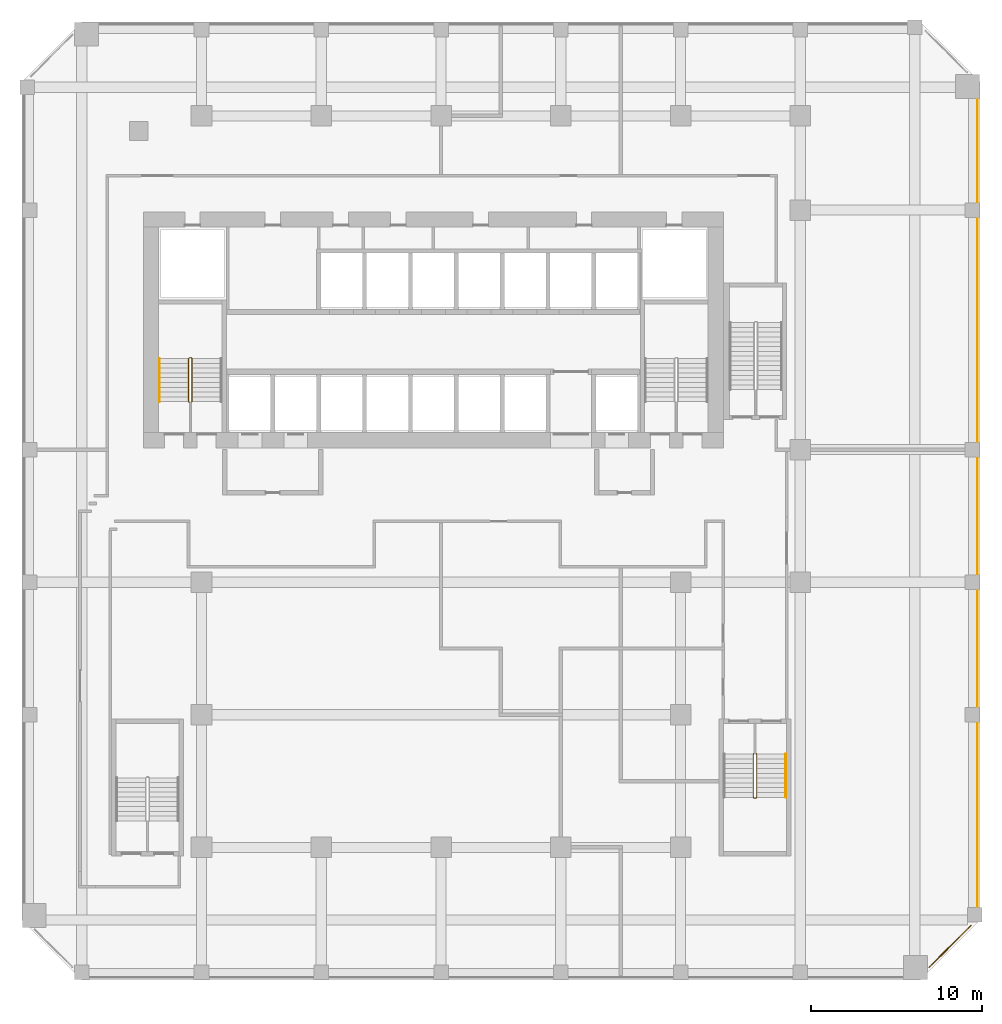
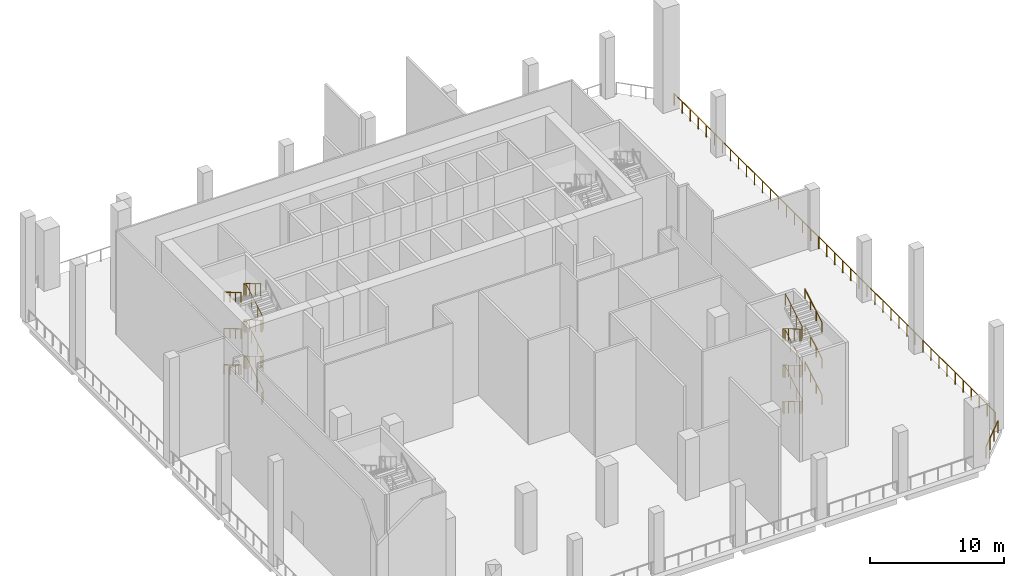
# One storey, part 10 of 12: 10 railings.
"""IFC4 building model written with IfcOpenShell, lengths in metres."""

from ifc_helpers import new_model, si_unit, direction, frame, origin, origin_2d, place, context, subcontext, project, spatial, circle, extrude, material, type_object, element, save


model = new_model("IFC4")

# Units and contexts
model_context = context("Model", 3, precision=1e-05, world=origin(), true_north=direction((0.0, 1.0)))
body_context = subcontext(model_context, "Body", "Model", "MODEL_VIEW")
ifc_project = project(units=[si_unit("LENGTHUNIT", "METRE"), si_unit("AREAUNIT", "SQUARE_METRE"), si_unit("VOLUMEUNIT", "CUBIC_METRE"), si_unit("PLANEANGLEUNIT", "RADIAN"), si_unit("MASSUNIT", "GRAM", prefix="KILO")], contexts=[model_context])

# Site, building, storey
site_placement = place(None, origin())
site = spatial("IfcSite", under=ifc_project, at=site_placement, CompositionType="ELEMENT")
building_placement = place(site_placement, origin())
building = spatial("IfcBuilding", under=site, at=building_placement, Name="Kilnfold Tower and Market Hall", CompositionType="ELEMENT")
storey_placement = place(building_placement, frame((0.0, 0.0, 128.60009765625)))
storey = spatial("IfcBuildingStorey", under=building, at=storey_placement, Name="L30 Refuge Wind Floor", CompositionType="ELEMENT", Elevation=128.60009765625)

# Railings
ifc_material_1 = material(Name="Stainless steel 316", Category="steel")
railing_type_1 = type_object("IfcRailingType", Name="CORE STAIR GUARD 1100", PredefinedType="GUARDRAIL", material=ifc_material_1)
railing_1_placement = place(storey_placement, frame((-13.199951171875, 10.75, 0.0)))
element("IfcRailing", 1, at=railing_1_placement, inside=storey, type_object=railing_type_1, Name="L30 Refuge Wind Floor ST1 stair guard 1", PredefinedType="GUARDRAIL", context=body_context, shape_type="SweptSolid", body=[
    extrude(circle(Radius=0.02392578125, at=origin_2d()), frame((0.0, 0.0, 1.076171875), z_axis=(1.0, 0.0, 0.0), x_axis=(0.0, 1.0, 0.0)), (0.0, 0.0, 1.0), 0.099853515625),
    extrude(circle(Radius=0.02392578125, at=origin_2d()), frame((0.099853515625, 0.0, 1.076171875), z_axis=(0.279053652268, 0.279053652268, 0.918835196492), x_axis=(-0.707106781187, 0.707106781187, 0.0)), (0.0, 0.0, 1.0), 0.179443359375),
    extrude(circle(Radius=0.02392578125, at=origin_2d()), frame((0.14990234375, 0.050048828125, 1.24072265625), z_axis=(0.0, 0.86152411907, 0.507716645641), x_axis=(-1.0, 0.0, 0.0)), (0.0, 0.0, 1.0), 2.925048828125),
    extrude(circle(Radius=0.02392578125, at=origin_2d()), frame((0.14990234375, 2.570068359375, 2.72607421875), z_axis=(-0.707106781187, 0.707106781187, 0.0), x_axis=(-0.707106781187, -0.707106781187, 0.0)), (0.0, 0.0, 1.0), 0.07080078125),
    extrude(circle(Radius=0.02392578125, at=origin_2d()), frame((0.099853515625, 2.6201171875, 2.72607421875), z_axis=(-1.0, 0.0, 0.0), x_axis=(0.0, -1.0, 0.0)), (0.0, 0.0, 1.0), 0.099853515625),
    extrude(circle(Radius=0.02392578125, at=origin_2d()), frame((0.0, 2.6201171875, 2.72607421875), z_axis=(-0.278705021027, -0.278705021027, 0.919046801044), x_axis=(0.707106781187, -0.707106781187, 0.0)), (0.0, 0.0, 1.0), 0.1796875),
    extrude(circle(Radius=0.02392578125, at=origin_2d()), frame((-0.050048828125, 2.570068359375, 2.89111328125), z_axis=(0.0, -0.861560626758, 0.507654692109), x_axis=(1.0, 0.0, 0.0)), (0.0, 0.0, 1.0), 2.925048828125),
    extrude(circle(Radius=0.02392578125, at=origin_2d()), frame((-0.050048828125, 0.050048828125, 4.3759765625), z_axis=(0.707106781187, -0.707106781187, 0.0), x_axis=(0.707106781187, 0.707106781187, 0.0)), (0.0, 0.0, 1.0), 0.07080078125),
    extrude(circle(Radius=0.02392578125, at=origin_2d()), frame((0.0, 0.0, 4.3759765625), z_axis=(1.0, 0.0, 0.0), x_axis=(0.0, 1.0, 0.0)), (0.0, 0.0, 1.0), 0.099853515625),
    extrude(circle(Radius=0.02392578125, at=origin_2d()), frame((0.099853515625, 0.0, 4.3759765625), z_axis=(0.278705021027, 0.278705021027, 0.919046801044), x_axis=(-0.707106781187, 0.707106781187, 0.0)), (0.0, 0.0, 1.0), 0.1796875),
    extrude(circle(Radius=0.02392578125, at=origin_2d()), frame((0.14990234375, 0.050048828125, 4.541015625), z_axis=(0.0, 0.86152411907, 0.507716645641), x_axis=(-1.0, 0.0, 0.0)), (0.0, 0.0, 1.0), 2.925048828125),
    extrude(circle(Radius=0.02392578125, at=origin_2d()), frame((0.14990234375, 2.570068359375, 6.02587890625), z_axis=(-0.707106781187, 0.707106781187, 0.0), x_axis=(-0.707106781187, -0.707106781187, 0.0)), (0.0, 0.0, 1.0), 0.07080078125),
    extrude(circle(Radius=0.02392578125, at=origin_2d()), frame((0.099853515625, 2.6201171875, 6.02587890625), z_axis=(-1.0, 0.0, 0.0), x_axis=(0.0, -1.0, 0.0)), (0.0, 0.0, 1.0), 0.099853515625),
    extrude(circle(Radius=0.02392578125, at=origin_2d()), frame((0.0, 2.6201171875, 6.02587890625), z_axis=(-0.278705021027, -0.278705021027, 0.919046801044), x_axis=(0.707106781187, -0.707106781187, 0.0)), (0.0, 0.0, 1.0), 0.1796875),
    extrude(circle(Radius=0.02392578125, at=origin_2d()), frame((-0.050048828125, 2.570068359375, 6.19091796875), z_axis=(0.0, -0.861560626758, 0.507654692109), x_axis=(1.0, 0.0, 0.0)), (0.0, 0.0, 1.0), 2.925048828125),
    extrude(circle(Radius=0.02392578125, at=origin_2d()), frame((-0.050048828125, 0.050048828125, 7.67578125), z_axis=(0.707106781187, -0.707106781187, 0.0), x_axis=(0.707106781187, 0.707106781187, 0.0)), (0.0, 0.0, 1.0), 0.07080078125),
    extrude(circle(Radius=0.02392578125, at=origin_2d()), frame((0.0, 0.0, 7.67578125), z_axis=(1.0, 0.0, 0.0), x_axis=(0.0, 1.0, 0.0)), (0.0, 0.0, 1.0), 0.099853515625),
    extrude(circle(Radius=0.02392578125, at=origin_2d()), frame((0.099853515625, 0.0, 7.67578125), z_axis=(0.278705021027, 0.278705021027, 0.919046801044), x_axis=(-0.707106781187, 0.707106781187, 0.0)), (0.0, 0.0, 1.0), 0.1796875),
    extrude(circle(Radius=0.02392578125, at=origin_2d()), frame((0.14990234375, 0.050048828125, 7.8408203125), z_axis=(0.0, 0.86152411907, 0.507716645641), x_axis=(-1.0, 0.0, 0.0)), (0.0, 0.0, 1.0), 2.925048828125),
    extrude(circle(Radius=0.02392578125, at=origin_2d()), frame((0.14990234375, 2.570068359375, 9.326171875), z_axis=(-0.707106781187, 0.707106781187, 0.0), x_axis=(-0.707106781187, -0.707106781187, 0.0)), (0.0, 0.0, 1.0), 0.07080078125),
    extrude(circle(Radius=0.02392578125, at=origin_2d()), frame((0.099853515625, 2.6201171875, 9.326171875), z_axis=(-1.0, 0.0, 0.0), x_axis=(0.0, -1.0, 0.0)), (0.0, 0.0, 1.0), 0.099853515625),
    extrude(circle(Radius=0.02392578125, at=origin_2d()), frame((0.0, 2.6201171875, 9.326171875), z_axis=(-0.279053652268, -0.279053652268, 0.918835196492), x_axis=(0.707106781187, -0.707106781187, 0.0)), (0.0, 0.0, 1.0), 0.179443359375),
    extrude(circle(Radius=0.02392578125, at=origin_2d()), frame((-0.050048828125, 2.570068359375, 9.49072265625), z_axis=(0.0, -0.86152411907, 0.507716645641), x_axis=(1.0, 0.0, 0.0)), (0.0, 0.0, 1.0), 2.925048828125),
    extrude(circle(Radius=0.02099609375, at=origin_2d()), origin(), (0.0, 0.0, 1.0), 1.052001953125),
    extrude(circle(Radius=0.02099609375, at=origin_2d()), frame((0.099853515625, 0.0, 0.0)), (0.0, 0.0, 1.0), 1.052001953125),
    extrude(circle(Radius=0.02099609375, at=origin_2d()), frame((0.14990234375, 0.050048828125, 0.164794921875)), (0.0, 0.0, 1.0), 1.052001953125),
    extrude(circle(Radius=0.02099609375, at=origin_2d()), frame((0.14990234375, 0.89013671875, 0.659912109375)), (0.0, 0.0, 1.0), 1.052001953125),
    extrude(circle(Radius=0.02099609375, at=origin_2d()), frame((0.14990234375, 1.72998046875, 1.15478515625)), (0.0, 0.0, 1.0), 1.052001953125),
    extrude(circle(Radius=0.02099609375, at=origin_2d()), frame((0.14990234375, 2.570068359375, 1.64990234375)), (0.0, 0.0, 1.0), 1.052001953125),
    extrude(circle(Radius=0.02099609375, at=origin_2d()), frame((0.099853515625, 2.6201171875, 1.64990234375)), (0.0, 0.0, 1.0), 1.052001953125),
    extrude(circle(Radius=0.02099609375, at=origin_2d()), frame((0.0, 2.6201171875, 1.64990234375)), (0.0, 0.0, 1.0), 1.052001953125),
    extrude(circle(Radius=0.02099609375, at=origin_2d()), frame((-0.050048828125, 2.570068359375, 1.81494140625)), (0.0, 0.0, 1.0), 1.052001953125),
    extrude(circle(Radius=0.02099609375, at=origin_2d()), frame((-0.050048828125, 1.72998046875, 2.309814453125)), (0.0, 0.0, 1.0), 1.052001953125),
    extrude(circle(Radius=0.02099609375, at=origin_2d()), frame((-0.050048828125, 0.89013671875, 2.804931640625)), (0.0, 0.0, 1.0), 1.052001953125),
    extrude(circle(Radius=0.02099609375, at=origin_2d()), frame((-0.050048828125, 0.050048828125, 3.2998046875)), (0.0, 0.0, 1.0), 1.052001953125),
    extrude(circle(Radius=0.02099609375, at=origin_2d()), frame((0.0, 0.0, 3.2998046875)), (0.0, 0.0, 1.0), 1.052001953125),
    extrude(circle(Radius=0.02099609375, at=origin_2d()), frame((0.099853515625, 0.0, 3.2998046875)), (0.0, 0.0, 1.0), 1.052001953125),
    extrude(circle(Radius=0.02099609375, at=origin_2d()), frame((0.14990234375, 0.050048828125, 3.46484375)), (0.0, 0.0, 1.0), 1.052001953125),
    extrude(circle(Radius=0.02099609375, at=origin_2d()), frame((0.14990234375, 0.89013671875, 3.9599609375)), (0.0, 0.0, 1.0), 1.052001953125),
    extrude(circle(Radius=0.02099609375, at=origin_2d()), frame((0.14990234375, 1.72998046875, 4.454833984375)), (0.0, 0.0, 1.0), 1.052001953125),
    extrude(circle(Radius=0.02099609375, at=origin_2d()), frame((0.14990234375, 2.570068359375, 4.949951171875)), (0.0, 0.0, 1.0), 1.052001953125),
    extrude(circle(Radius=0.02099609375, at=origin_2d()), frame((0.099853515625, 2.6201171875, 4.949951171875)), (0.0, 0.0, 1.0), 1.052001953125),
    extrude(circle(Radius=0.02099609375, at=origin_2d()), frame((0.0, 2.6201171875, 4.949951171875)), (0.0, 0.0, 1.0), 1.052001953125),
    extrude(circle(Radius=0.02099609375, at=origin_2d()), frame((-0.050048828125, 2.570068359375, 5.114990234375)), (0.0, 0.0, 1.0), 1.052001953125),
    extrude(circle(Radius=0.02099609375, at=origin_2d()), frame((-0.050048828125, 1.72998046875, 5.60986328125)), (0.0, 0.0, 1.0), 1.052001953125),
    extrude(circle(Radius=0.02099609375, at=origin_2d()), frame((-0.050048828125, 0.89013671875, 6.10498046875)), (0.0, 0.0, 1.0), 1.052001953125),
    extrude(circle(Radius=0.02099609375, at=origin_2d()), frame((-0.050048828125, 0.050048828125, 6.599853515625)), (0.0, 0.0, 1.0), 1.052001953125),
    extrude(circle(Radius=0.02099609375, at=origin_2d()), frame((0.0, 0.0, 6.599853515625)), (0.0, 0.0, 1.0), 1.052001953125),
    extrude(circle(Radius=0.02099609375, at=origin_2d()), frame((0.099853515625, 0.0, 6.599853515625)), (0.0, 0.0, 1.0), 1.052001953125),
    extrude(circle(Radius=0.02099609375, at=origin_2d()), frame((0.14990234375, 0.050048828125, 6.764892578125)), (0.0, 0.0, 1.0), 1.052001953125),
    extrude(circle(Radius=0.02099609375, at=origin_2d()), frame((0.14990234375, 0.89013671875, 7.260009765625)), (0.0, 0.0, 1.0), 1.052001953125),
    extrude(circle(Radius=0.02099609375, at=origin_2d()), frame((0.14990234375, 1.72998046875, 7.7548828125)), (0.0, 0.0, 1.0), 1.052001953125),
    extrude(circle(Radius=0.02099609375, at=origin_2d()), frame((0.14990234375, 2.570068359375, 8.25)), (0.0, 0.0, 1.0), 1.052001953125),
    extrude(circle(Radius=0.02099609375, at=origin_2d()), frame((0.099853515625, 2.6201171875, 8.25)), (0.0, 0.0, 1.0), 1.052001953125),
    extrude(circle(Radius=0.02099609375, at=origin_2d()), frame((0.0, 2.6201171875, 8.25)), (0.0, 0.0, 1.0), 1.052001953125),
    extrude(circle(Radius=0.02099609375, at=origin_2d()), frame((-0.050048828125, 2.570068359375, 8.414794921875)), (0.0, 0.0, 1.0), 1.052001953125),
    extrude(circle(Radius=0.02099609375, at=origin_2d()), frame((-0.050048828125, 1.72998046875, 8.909912109375)), (0.0, 0.0, 1.0), 1.052001953125),
    extrude(circle(Radius=0.02099609375, at=origin_2d()), frame((-0.050048828125, 0.89013671875, 9.40478515625)), (0.0, 0.0, 1.0), 1.052001953125),
    extrude(circle(Radius=0.02099609375, at=origin_2d()), frame((-0.050048828125, 0.050048828125, 9.89990234375)), (0.0, 0.0, 1.0), 1.052001953125),
])
railing_2_placement = place(storey_placement, frame((19.89990234375, -9.75, 0.0)))
element("IfcRailing", 2, at=railing_2_placement, inside=storey, type_object=railing_type_1, Name="L30 Refuge Wind Floor ST4 stair guard 1", PredefinedType="GUARDRAIL", context=body_context, shape_type="SweptSolid", body=[
    extrude(circle(Radius=0.02392578125, at=origin_2d()), frame((0.0, 0.0, 1.076171875), z_axis=(-1.0, 0.0, 0.0), x_axis=(0.0, -1.0, 0.0)), (0.0, 0.0, 1.0), 0.099853515625),
    extrude(circle(Radius=0.02392578125, at=origin_2d()), frame((-0.099853515625, 0.0, 1.076171875), z_axis=(-0.279053652268, -0.279053652268, 0.918835196492), x_axis=(0.707106781187, -0.707106781187, 0.0)), (0.0, 0.0, 1.0), 0.179443359375),
    extrude(circle(Radius=0.02392578125, at=origin_2d()), frame((-0.14990234375, -0.050048828125, 1.24072265625), z_axis=(0.0, -0.86152411907, 0.507716645641), x_axis=(1.0, 0.0, 0.0)), (0.0, 0.0, 1.0), 2.925048828125),
    extrude(circle(Radius=0.02392578125, at=origin_2d()), frame((-0.14990234375, -2.570068359375, 2.72607421875), z_axis=(0.707106781187, -0.707106781187, 0.0), x_axis=(0.707106781187, 0.707106781187, 0.0)), (0.0, 0.0, 1.0), 0.07080078125),
    extrude(circle(Radius=0.02392578125, at=origin_2d()), frame((-0.099853515625, -2.6201171875, 2.72607421875), z_axis=(1.0, 0.0, 0.0), x_axis=(0.0, 1.0, 0.0)), (0.0, 0.0, 1.0), 0.099853515625),
    extrude(circle(Radius=0.02392578125, at=origin_2d()), frame((0.0, -2.6201171875, 2.72607421875), z_axis=(0.278705021027, 0.278705021027, 0.919046801044), x_axis=(-0.707106781187, 0.707106781187, 0.0)), (0.0, 0.0, 1.0), 0.1796875),
    extrude(circle(Radius=0.02392578125, at=origin_2d()), frame((0.050048828125, -2.570068359375, 2.89111328125), z_axis=(0.0, 0.861560626758, 0.507654692109), x_axis=(-1.0, 0.0, 0.0)), (0.0, 0.0, 1.0), 2.925048828125),
    extrude(circle(Radius=0.02392578125, at=origin_2d()), frame((0.050048828125, -0.050048828125, 4.3759765625), z_axis=(-0.707106781187, 0.707106781187, 0.0), x_axis=(-0.707106781187, -0.707106781187, 0.0)), (0.0, 0.0, 1.0), 0.07080078125),
    extrude(circle(Radius=0.02392578125, at=origin_2d()), frame((0.0, 0.0, 4.3759765625), z_axis=(-1.0, 0.0, 0.0), x_axis=(0.0, -1.0, 0.0)), (0.0, 0.0, 1.0), 0.099853515625),
    extrude(circle(Radius=0.02392578125, at=origin_2d()), frame((-0.099853515625, 0.0, 4.3759765625), z_axis=(-0.278705021027, -0.278705021027, 0.919046801044), x_axis=(0.707106781187, -0.707106781187, 0.0)), (0.0, 0.0, 1.0), 0.1796875),
    extrude(circle(Radius=0.02392578125, at=origin_2d()), frame((-0.14990234375, -0.050048828125, 4.541015625), z_axis=(0.0, -0.86152411907, 0.507716645641), x_axis=(1.0, 0.0, 0.0)), (0.0, 0.0, 1.0), 2.925048828125),
    extrude(circle(Radius=0.02392578125, at=origin_2d()), frame((-0.14990234375, -2.570068359375, 6.02587890625), z_axis=(0.707106781187, -0.707106781187, 0.0), x_axis=(0.707106781187, 0.707106781187, 0.0)), (0.0, 0.0, 1.0), 0.07080078125),
    extrude(circle(Radius=0.02392578125, at=origin_2d()), frame((-0.099853515625, -2.6201171875, 6.02587890625), z_axis=(1.0, 0.0, 0.0), x_axis=(0.0, 1.0, 0.0)), (0.0, 0.0, 1.0), 0.099853515625),
    extrude(circle(Radius=0.02392578125, at=origin_2d()), frame((0.0, -2.6201171875, 6.02587890625), z_axis=(0.278705021027, 0.278705021027, 0.919046801044), x_axis=(-0.707106781187, 0.707106781187, 0.0)), (0.0, 0.0, 1.0), 0.1796875),
    extrude(circle(Radius=0.02392578125, at=origin_2d()), frame((0.050048828125, -2.570068359375, 6.19091796875), z_axis=(0.0, 0.861560626758, 0.507654692109), x_axis=(-1.0, 0.0, 0.0)), (0.0, 0.0, 1.0), 2.925048828125),
    extrude(circle(Radius=0.02392578125, at=origin_2d()), frame((0.050048828125, -0.050048828125, 7.67578125), z_axis=(-0.707106781187, 0.707106781187, 0.0), x_axis=(-0.707106781187, -0.707106781187, 0.0)), (0.0, 0.0, 1.0), 0.07080078125),
    extrude(circle(Radius=0.02392578125, at=origin_2d()), frame((0.0, 0.0, 7.67578125), z_axis=(-1.0, 0.0, 0.0), x_axis=(0.0, -1.0, 0.0)), (0.0, 0.0, 1.0), 0.099853515625),
    extrude(circle(Radius=0.02392578125, at=origin_2d()), frame((-0.099853515625, 0.0, 7.67578125), z_axis=(-0.278705021027, -0.278705021027, 0.919046801044), x_axis=(0.707106781187, -0.707106781187, 0.0)), (0.0, 0.0, 1.0), 0.1796875),
    extrude(circle(Radius=0.02392578125, at=origin_2d()), frame((-0.14990234375, -0.050048828125, 7.8408203125), z_axis=(0.0, -0.86152411907, 0.507716645641), x_axis=(1.0, 0.0, 0.0)), (0.0, 0.0, 1.0), 2.925048828125),
    extrude(circle(Radius=0.02392578125, at=origin_2d()), frame((-0.14990234375, -2.570068359375, 9.326171875), z_axis=(0.707106781187, -0.707106781187, 0.0), x_axis=(0.707106781187, 0.707106781187, 0.0)), (0.0, 0.0, 1.0), 0.07080078125),
    extrude(circle(Radius=0.02392578125, at=origin_2d()), frame((-0.099853515625, -2.6201171875, 9.326171875), z_axis=(1.0, 0.0, 0.0), x_axis=(0.0, 1.0, 0.0)), (0.0, 0.0, 1.0), 0.099853515625),
    extrude(circle(Radius=0.02392578125, at=origin_2d()), frame((0.0, -2.6201171875, 9.326171875), z_axis=(0.279053652268, 0.279053652268, 0.918835196492), x_axis=(-0.707106781187, 0.707106781187, 0.0)), (0.0, 0.0, 1.0), 0.179443359375),
    extrude(circle(Radius=0.02392578125, at=origin_2d()), frame((0.050048828125, -2.570068359375, 9.49072265625), z_axis=(0.0, 0.86152411907, 0.507716645641), x_axis=(-1.0, 0.0, 0.0)), (0.0, 0.0, 1.0), 2.925048828125),
    extrude(circle(Radius=0.02099609375, at=origin_2d()), origin(), (0.0, 0.0, 1.0), 1.052001953125),
    extrude(circle(Radius=0.02099609375, at=origin_2d()), frame((-0.099853515625, 0.0, 0.0)), (0.0, 0.0, 1.0), 1.052001953125),
    extrude(circle(Radius=0.02099609375, at=origin_2d()), frame((-0.14990234375, -0.050048828125, 0.164794921875)), (0.0, 0.0, 1.0), 1.052001953125),
    extrude(circle(Radius=0.02099609375, at=origin_2d()), frame((-0.14990234375, -0.89013671875, 0.659912109375)), (0.0, 0.0, 1.0), 1.052001953125),
    extrude(circle(Radius=0.02099609375, at=origin_2d()), frame((-0.14990234375, -1.72998046875, 1.15478515625)), (0.0, 0.0, 1.0), 1.052001953125),
    extrude(circle(Radius=0.02099609375, at=origin_2d()), frame((-0.14990234375, -2.570068359375, 1.64990234375)), (0.0, 0.0, 1.0), 1.052001953125),
    extrude(circle(Radius=0.02099609375, at=origin_2d()), frame((-0.099853515625, -2.6201171875, 1.64990234375)), (0.0, 0.0, 1.0), 1.052001953125),
    extrude(circle(Radius=0.02099609375, at=origin_2d()), frame((0.0, -2.6201171875, 1.64990234375)), (0.0, 0.0, 1.0), 1.052001953125),
    extrude(circle(Radius=0.02099609375, at=origin_2d()), frame((0.050048828125, -2.570068359375, 1.81494140625)), (0.0, 0.0, 1.0), 1.052001953125),
    extrude(circle(Radius=0.02099609375, at=origin_2d()), frame((0.050048828125, -1.72998046875, 2.309814453125)), (0.0, 0.0, 1.0), 1.052001953125),
    extrude(circle(Radius=0.02099609375, at=origin_2d()), frame((0.050048828125, -0.89013671875, 2.804931640625)), (0.0, 0.0, 1.0), 1.052001953125),
    extrude(circle(Radius=0.02099609375, at=origin_2d()), frame((0.050048828125, -0.050048828125, 3.2998046875)), (0.0, 0.0, 1.0), 1.052001953125),
    extrude(circle(Radius=0.02099609375, at=origin_2d()), frame((0.0, 0.0, 3.2998046875)), (0.0, 0.0, 1.0), 1.052001953125),
    extrude(circle(Radius=0.02099609375, at=origin_2d()), frame((-0.099853515625, 0.0, 3.2998046875)), (0.0, 0.0, 1.0), 1.052001953125),
    extrude(circle(Radius=0.02099609375, at=origin_2d()), frame((-0.14990234375, -0.050048828125, 3.46484375)), (0.0, 0.0, 1.0), 1.052001953125),
    extrude(circle(Radius=0.02099609375, at=origin_2d()), frame((-0.14990234375, -0.89013671875, 3.9599609375)), (0.0, 0.0, 1.0), 1.052001953125),
    extrude(circle(Radius=0.02099609375, at=origin_2d()), frame((-0.14990234375, -1.72998046875, 4.454833984375)), (0.0, 0.0, 1.0), 1.052001953125),
    extrude(circle(Radius=0.02099609375, at=origin_2d()), frame((-0.14990234375, -2.570068359375, 4.949951171875)), (0.0, 0.0, 1.0), 1.052001953125),
    extrude(circle(Radius=0.02099609375, at=origin_2d()), frame((-0.099853515625, -2.6201171875, 4.949951171875)), (0.0, 0.0, 1.0), 1.052001953125),
    extrude(circle(Radius=0.02099609375, at=origin_2d()), frame((0.0, -2.6201171875, 4.949951171875)), (0.0, 0.0, 1.0), 1.052001953125),
    extrude(circle(Radius=0.02099609375, at=origin_2d()), frame((0.050048828125, -2.570068359375, 5.114990234375)), (0.0, 0.0, 1.0), 1.052001953125),
    extrude(circle(Radius=0.02099609375, at=origin_2d()), frame((0.050048828125, -1.72998046875, 5.60986328125)), (0.0, 0.0, 1.0), 1.052001953125),
    extrude(circle(Radius=0.02099609375, at=origin_2d()), frame((0.050048828125, -0.89013671875, 6.10498046875)), (0.0, 0.0, 1.0), 1.052001953125),
    extrude(circle(Radius=0.02099609375, at=origin_2d()), frame((0.050048828125, -0.050048828125, 6.599853515625)), (0.0, 0.0, 1.0), 1.052001953125),
    extrude(circle(Radius=0.02099609375, at=origin_2d()), frame((0.0, 0.0, 6.599853515625)), (0.0, 0.0, 1.0), 1.052001953125),
    extrude(circle(Radius=0.02099609375, at=origin_2d()), frame((-0.099853515625, 0.0, 6.599853515625)), (0.0, 0.0, 1.0), 1.052001953125),
    extrude(circle(Radius=0.02099609375, at=origin_2d()), frame((-0.14990234375, -0.050048828125, 6.764892578125)), (0.0, 0.0, 1.0), 1.052001953125),
    extrude(circle(Radius=0.02099609375, at=origin_2d()), frame((-0.14990234375, -0.89013671875, 7.260009765625)), (0.0, 0.0, 1.0), 1.052001953125),
    extrude(circle(Radius=0.02099609375, at=origin_2d()), frame((-0.14990234375, -1.72998046875, 7.7548828125)), (0.0, 0.0, 1.0), 1.052001953125),
    extrude(circle(Radius=0.02099609375, at=origin_2d()), frame((-0.14990234375, -2.570068359375, 8.25)), (0.0, 0.0, 1.0), 1.052001953125),
    extrude(circle(Radius=0.02099609375, at=origin_2d()), frame((-0.099853515625, -2.6201171875, 8.25)), (0.0, 0.0, 1.0), 1.052001953125),
    extrude(circle(Radius=0.02099609375, at=origin_2d()), frame((0.0, -2.6201171875, 8.25)), (0.0, 0.0, 1.0), 1.052001953125),
    extrude(circle(Radius=0.02099609375, at=origin_2d()), frame((0.050048828125, -2.570068359375, 8.414794921875)), (0.0, 0.0, 1.0), 1.052001953125),
    extrude(circle(Radius=0.02099609375, at=origin_2d()), frame((0.050048828125, -1.72998046875, 8.909912109375)), (0.0, 0.0, 1.0), 1.052001953125),
    extrude(circle(Radius=0.02099609375, at=origin_2d()), frame((0.050048828125, -0.89013671875, 9.40478515625)), (0.0, 0.0, 1.0), 1.052001953125),
    extrude(circle(Radius=0.02099609375, at=origin_2d()), frame((0.050048828125, -0.050048828125, 9.89990234375)), (0.0, 0.0, 1.0), 1.052001953125),
])
ifc_material_2 = material(Name="Stainless steel 316", Category="steel")
railing_type_2 = type_object("IfcRailingType", Name="CORE STAIR HANDRAIL 900", PredefinedType="HANDRAIL", material=ifc_material_2)
for number, where, name in (
    (3, (-14.949951171875, 13.320068359375, 1.81494140625), "L30 Refuge Wind Floor ST1 stair handrail 2"),
    (4, (-14.949951171875, 13.320068359375, 5.114990234375), "L30 Refuge Wind Floor ST1 stair handrail 4"),
):
    element("IfcRailing", number, at=place(storey_placement, frame(where)), inside=storey, type_object=railing_type_2, Name=name, PredefinedType="HANDRAIL", context=body_context, shape_type="SweptSolid", body=[
        extrude(circle(Radius=0.02392578125, at=origin_2d()), frame((0.0, 0.0, 0.8759765625), z_axis=(0.0, -0.861560626758, 0.507654692109), x_axis=(1.0, 0.0, 0.0)), (0.0, 0.0, 1.0), 2.925048828125),
        extrude(circle(Radius=0.02099609375, at=origin_2d()), origin(), (0.0, 0.0, 1.0), 0.851806640625),
        extrude(circle(Radius=0.02099609375, at=origin_2d()), frame((0.0, -0.840087890625, 0.494873046875)), (0.0, 0.0, 1.0), 0.851806640625),
        extrude(circle(Radius=0.02099609375, at=origin_2d()), frame((0.0, -1.679931640625, 0.989990234375)), (0.0, 0.0, 1.0), 0.851806640625),
        extrude(circle(Radius=0.02099609375, at=origin_2d()), frame((0.0, -2.52001953125, 1.48486328125)), (0.0, 0.0, 1.0), 0.851806640625),
    ])
railing_3_placement = place(storey_placement, frame((-14.949951171875, 13.320068359375, 8.414794921875)))
element("IfcRailing", 5, at=railing_3_placement, inside=storey, type_object=railing_type_2, Name="L30 Refuge Wind Floor ST1 stair handrail 6", PredefinedType="HANDRAIL", context=body_context, shape_type="SweptSolid", body=[
    extrude(circle(Radius=0.02392578125, at=origin_2d()), frame((0.0, 0.0, 0.8759765625), z_axis=(0.0, -0.86152411907, 0.507716645641), x_axis=(1.0, 0.0, 0.0)), (0.0, 0.0, 1.0), 2.925048828125),
    extrude(circle(Radius=0.02099609375, at=origin_2d()), origin(), (0.0, 0.0, 1.0), 0.851806640625),
    extrude(circle(Radius=0.02099609375, at=origin_2d()), frame((0.0, -0.840087890625, 0.4951171875)), (0.0, 0.0, 1.0), 0.851806640625),
    extrude(circle(Radius=0.02099609375, at=origin_2d()), frame((0.0, -1.679931640625, 0.989990234375)), (0.0, 0.0, 1.0), 0.851806640625),
    extrude(circle(Radius=0.02099609375, at=origin_2d()), frame((0.0, -2.52001953125, 1.485107421875)), (0.0, 0.0, 1.0), 0.851806640625),
])
for number, where, name in (
    (6, (21.64990234375, -12.320068359375, 1.81494140625), "L30 Refuge Wind Floor ST4 stair handrail 2"),
    (7, (21.64990234375, -12.320068359375, 5.114990234375), "L30 Refuge Wind Floor ST4 stair handrail 4"),
):
    element("IfcRailing", number, at=place(storey_placement, frame(where)), inside=storey, type_object=railing_type_2, Name=name, PredefinedType="HANDRAIL", context=body_context, shape_type="SweptSolid", body=[
        extrude(circle(Radius=0.02392578125, at=origin_2d()), frame((0.0, 0.0, 0.8759765625), z_axis=(0.0, 0.861560626758, 0.507654692109), x_axis=(-1.0, 0.0, 0.0)), (0.0, 0.0, 1.0), 2.925048828125),
        extrude(circle(Radius=0.02099609375, at=origin_2d()), origin(), (0.0, 0.0, 1.0), 0.851806640625),
        extrude(circle(Radius=0.02099609375, at=origin_2d()), frame((0.0, 0.840087890625, 0.494873046875)), (0.0, 0.0, 1.0), 0.851806640625),
        extrude(circle(Radius=0.02099609375, at=origin_2d()), frame((0.0, 1.679931640625, 0.989990234375)), (0.0, 0.0, 1.0), 0.851806640625),
        extrude(circle(Radius=0.02099609375, at=origin_2d()), frame((0.0, 2.52001953125, 1.48486328125)), (0.0, 0.0, 1.0), 0.851806640625),
    ])
railing_4_placement = place(storey_placement, frame((21.64990234375, -12.320068359375, 8.414794921875)))
element("IfcRailing", 8, at=railing_4_placement, inside=storey, type_object=railing_type_2, Name="L30 Refuge Wind Floor ST4 stair handrail 6", PredefinedType="HANDRAIL", context=body_context, shape_type="SweptSolid", body=[
    extrude(circle(Radius=0.02392578125, at=origin_2d()), frame((0.0, 0.0, 0.8759765625), z_axis=(0.0, 0.86152411907, 0.507716645641), x_axis=(-1.0, 0.0, 0.0)), (0.0, 0.0, 1.0), 2.925048828125),
    extrude(circle(Radius=0.02099609375, at=origin_2d()), origin(), (0.0, 0.0, 1.0), 0.851806640625),
    extrude(circle(Radius=0.02099609375, at=origin_2d()), frame((0.0, 0.840087890625, 0.4951171875)), (0.0, 0.0, 1.0), 0.851806640625),
    extrude(circle(Radius=0.02099609375, at=origin_2d()), frame((0.0, 1.679931640625, 0.989990234375)), (0.0, 0.0, 1.0), 0.851806640625),
    extrude(circle(Radius=0.02099609375, at=origin_2d()), frame((0.0, 2.52001953125, 1.485107421875)), (0.0, 0.0, 1.0), 0.851806640625),
])
ifc_material_3 = material(Name="Stainless steel and laminated glass", Category="steel")
railing_type_3 = type_object("IfcRailingType", Name="GUARD 1100", PredefinedType="GUARDRAIL", material=ifc_material_3)
railing_5_placement = place(storey_placement, frame((30.0439453125, -22.243896484375, 0.0)))
element("IfcRailing", 9, at=railing_5_placement, inside=storey, type_object=railing_type_3, Name="Guard edge SE L30", PredefinedType="GUARDRAIL", context=body_context, shape_type="SweptSolid", body=[
    extrude(circle(Radius=0.02490234375, at=origin_2d()), frame((0.0, 0.0, 1.0751953125), z_axis=(0.707106781187, 0.707106781187, 0.0), x_axis=(-0.707106781187, 0.707106781187, 0.0)), (0.0, 0.0, 1.0), 3.429443359375),
    extrude(circle(Radius=0.02490234375, at=origin_2d()), origin(), (0.0, 0.0, 1.0), 1.050048828125),
    extrude(circle(Radius=0.02490234375, at=origin_2d()), frame((0.808349609375, 0.808349609375, 0.0)), (0.0, 0.0, 1.0), 1.050048828125),
    extrude(circle(Radius=0.02490234375, at=origin_2d()), frame((1.61669921875, 1.61669921875, 0.0)), (0.0, 0.0, 1.0), 1.050048828125),
    extrude(circle(Radius=0.02490234375, at=origin_2d()), frame((2.425048828125, 2.425048828125, 0.0)), (0.0, 0.0, 1.0), 1.050048828125),
])
railing_6_placement = place(storey_placement, frame((32.85009765625, -18.7568359375, 0.0)))
element("IfcRailing", 10, at=railing_6_placement, inside=storey, type_object=railing_type_3, Name="Guard edge E L30", PredefinedType="GUARDRAIL", context=body_context, shape_type="SweptSolid", body=[
    extrude(circle(Radius=0.02490234375, at=origin_2d()), frame((0.0, 0.0, 1.0751953125), z_axis=(0.0, 1.0, 0.0), x_axis=(-1.0, 0.0, 0.0)), (0.0, 0.0, 1.0), 47.831787109375),
    extrude(circle(Radius=0.02490234375, at=origin_2d()), origin(), (0.0, 0.0, 1.0), 1.050048828125),
    extrude(circle(Radius=0.02490234375, at=origin_2d()), frame((0.0, 1.19580078125, 0.0)), (0.0, 0.0, 1.0), 1.050048828125),
    extrude(circle(Radius=0.02490234375, at=origin_2d()), frame((0.0, 2.3916015625, 0.0)), (0.0, 0.0, 1.0), 1.050048828125),
    extrude(circle(Radius=0.02490234375, at=origin_2d()), frame((0.0, 3.58740234375, 0.0)), (0.0, 0.0, 1.0), 1.050048828125),
    extrude(circle(Radius=0.02490234375, at=origin_2d()), frame((0.0, 4.783203125, 0.0)), (0.0, 0.0, 1.0), 1.050048828125),
    extrude(circle(Radius=0.02490234375, at=origin_2d()), frame((0.0, 5.97900390625, 0.0)), (0.0, 0.0, 1.0), 1.050048828125),
    extrude(circle(Radius=0.02490234375, at=origin_2d()), frame((0.0, 7.1748046875, 0.0)), (0.0, 0.0, 1.0), 1.050048828125),
    extrude(circle(Radius=0.02490234375, at=origin_2d()), frame((0.0, 8.37060546875, 0.0)), (0.0, 0.0, 1.0), 1.050048828125),
    extrude(circle(Radius=0.02490234375, at=origin_2d()), frame((0.0, 9.56640625, 0.0)), (0.0, 0.0, 1.0), 1.050048828125),
    extrude(circle(Radius=0.02490234375, at=origin_2d()), frame((0.0, 10.76220703125, 0.0)), (0.0, 0.0, 1.0), 1.050048828125),
    extrude(circle(Radius=0.02490234375, at=origin_2d()), frame((0.0, 11.9580078125, 0.0)), (0.0, 0.0, 1.0), 1.050048828125),
    extrude(circle(Radius=0.02490234375, at=origin_2d()), frame((0.0, 13.15380859375, 0.0)), (0.0, 0.0, 1.0), 1.050048828125),
    extrude(circle(Radius=0.02490234375, at=origin_2d()), frame((0.0, 14.349609375, 0.0)), (0.0, 0.0, 1.0), 1.050048828125),
    extrude(circle(Radius=0.02490234375, at=origin_2d()), frame((0.0, 15.54541015625, 0.0)), (0.0, 0.0, 1.0), 1.050048828125),
    extrude(circle(Radius=0.02490234375, at=origin_2d()), frame((0.0, 16.7412109375, 0.0)), (0.0, 0.0, 1.0), 1.050048828125),
    extrude(circle(Radius=0.02490234375, at=origin_2d()), frame((0.0, 17.93701171875, 0.0)), (0.0, 0.0, 1.0), 1.050048828125),
    extrude(circle(Radius=0.02490234375, at=origin_2d()), frame((0.0, 19.1328125, 0.0)), (0.0, 0.0, 1.0), 1.050048828125),
    extrude(circle(Radius=0.02490234375, at=origin_2d()), frame((0.0, 20.32861328125, 0.0)), (0.0, 0.0, 1.0), 1.050048828125),
    extrude(circle(Radius=0.02490234375, at=origin_2d()), frame((0.0, 21.5244140625, 0.0)), (0.0, 0.0, 1.0), 1.050048828125),
    extrude(circle(Radius=0.02490234375, at=origin_2d()), frame((0.0, 22.72021484375, 0.0)), (0.0, 0.0, 1.0), 1.050048828125),
    extrude(circle(Radius=0.02490234375, at=origin_2d()), frame((0.0, 23.916015625, 0.0)), (0.0, 0.0, 1.0), 1.050048828125),
    extrude(circle(Radius=0.02490234375, at=origin_2d()), frame((0.0, 25.111572265625, 0.0)), (0.0, 0.0, 1.0), 1.050048828125),
    extrude(circle(Radius=0.02490234375, at=origin_2d()), frame((0.0, 26.307373046875, 0.0)), (0.0, 0.0, 1.0), 1.050048828125),
    extrude(circle(Radius=0.02490234375, at=origin_2d()), frame((0.0, 27.503173828125, 0.0)), (0.0, 0.0, 1.0), 1.050048828125),
    extrude(circle(Radius=0.02490234375, at=origin_2d()), frame((0.0, 28.698974609375, 0.0)), (0.0, 0.0, 1.0), 1.050048828125),
    extrude(circle(Radius=0.02490234375, at=origin_2d()), frame((0.0, 29.894775390625, 0.0)), (0.0, 0.0, 1.0), 1.050048828125),
    extrude(circle(Radius=0.02490234375, at=origin_2d()), frame((0.0, 31.090576171875, 0.0)), (0.0, 0.0, 1.0), 1.050048828125),
    extrude(circle(Radius=0.02490234375, at=origin_2d()), frame((0.0, 32.286376953125, 0.0)), (0.0, 0.0, 1.0), 1.050048828125),
    extrude(circle(Radius=0.02490234375, at=origin_2d()), frame((0.0, 33.482177734375, 0.0)), (0.0, 0.0, 1.0), 1.050048828125),
    extrude(circle(Radius=0.02490234375, at=origin_2d()), frame((0.0, 34.677978515625, 0.0)), (0.0, 0.0, 1.0), 1.050048828125),
    extrude(circle(Radius=0.02490234375, at=origin_2d()), frame((0.0, 35.873779296875, 0.0)), (0.0, 0.0, 1.0), 1.050048828125),
    extrude(circle(Radius=0.02490234375, at=origin_2d()), frame((0.0, 37.069580078125, 0.0)), (0.0, 0.0, 1.0), 1.050048828125),
    extrude(circle(Radius=0.02490234375, at=origin_2d()), frame((0.0, 38.265380859375, 0.0)), (0.0, 0.0, 1.0), 1.050048828125),
    extrude(circle(Radius=0.02490234375, at=origin_2d()), frame((0.0, 39.461181640625, 0.0)), (0.0, 0.0, 1.0), 1.050048828125),
    extrude(circle(Radius=0.02490234375, at=origin_2d()), frame((0.0, 40.656982421875, 0.0)), (0.0, 0.0, 1.0), 1.050048828125),
    extrude(circle(Radius=0.02490234375, at=origin_2d()), frame((0.0, 41.852783203125, 0.0)), (0.0, 0.0, 1.0), 1.050048828125),
    extrude(circle(Radius=0.02490234375, at=origin_2d()), frame((0.0, 43.048583984375, 0.0)), (0.0, 0.0, 1.0), 1.050048828125),
    extrude(circle(Radius=0.02490234375, at=origin_2d()), frame((0.0, 44.244384765625, 0.0)), (0.0, 0.0, 1.0), 1.050048828125),
    extrude(circle(Radius=0.02490234375, at=origin_2d()), frame((0.0, 45.440185546875, 0.0)), (0.0, 0.0, 1.0), 1.050048828125),
    extrude(circle(Radius=0.02490234375, at=origin_2d()), frame((0.0, 46.635986328125, 0.0)), (0.0, 0.0, 1.0), 1.050048828125),
    extrude(circle(Radius=0.02490234375, at=origin_2d()), frame((0.0, 47.831787109375, 0.0)), (0.0, 0.0, 1.0), 1.050048828125),
])

save(model, "model.ifc")
